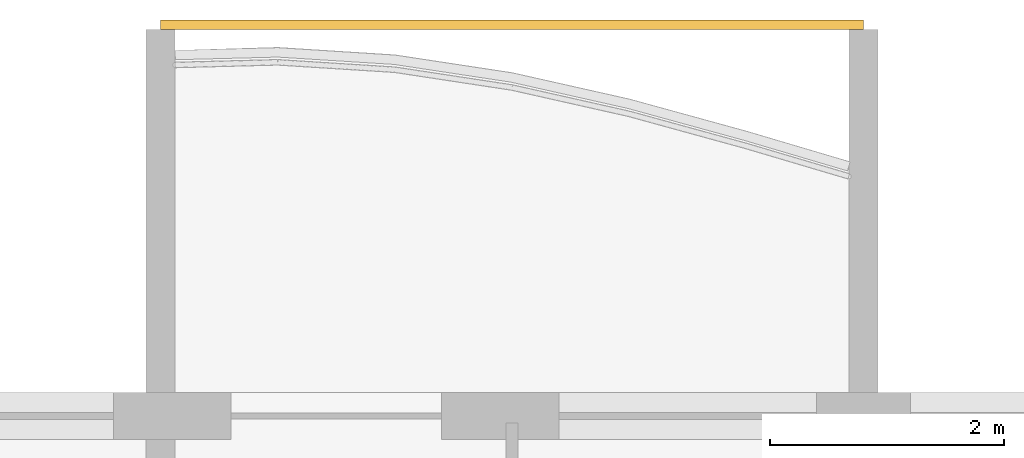
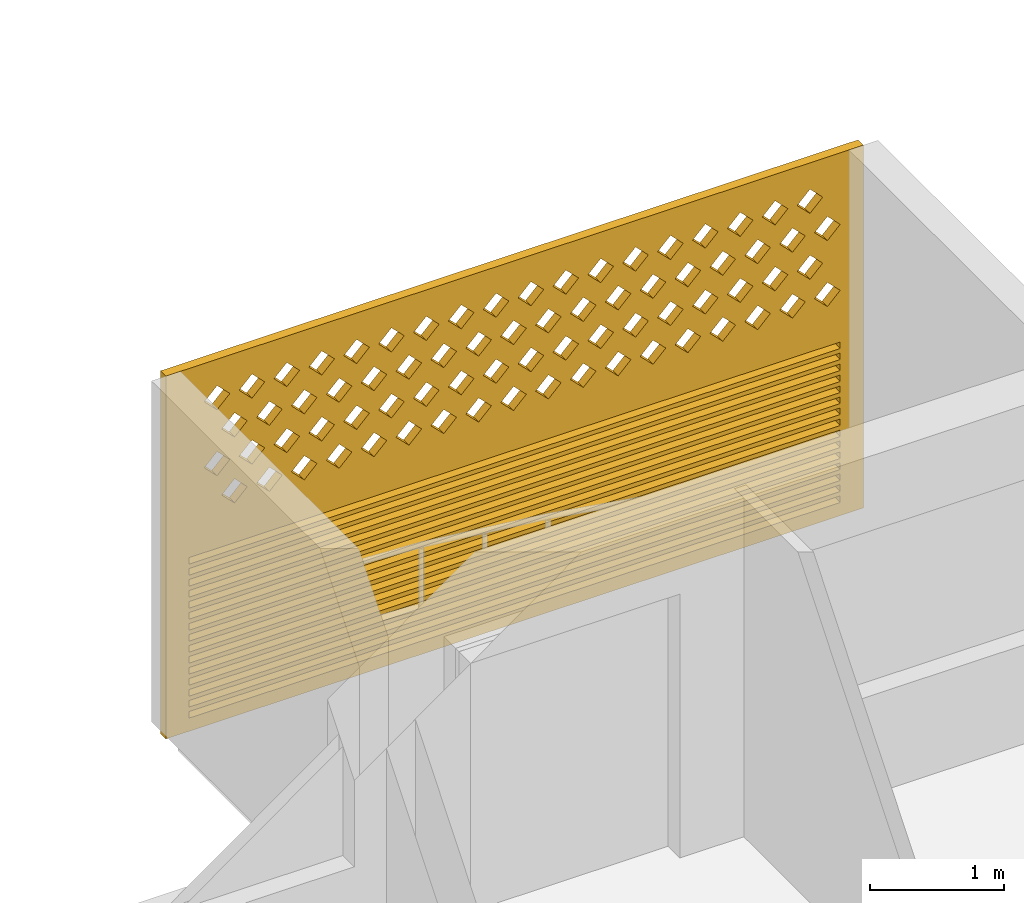
# One storey, part 18 of 26: 1 covering.
"""IFC4 building model written with IfcOpenShell, lengths in metres."""

from ifc_helpers import new_model, si_unit, direction, frame, origin, place, context, subcontext, project, spatial, polyline, outline, extrude, source, transform, mapped, material, material_profile, profile_set, type_object, element, save


model = new_model("IFC4")

# Units and contexts
model_context = context("Model", 3, precision=1e-05, world=origin(), true_north=direction((0.0, 1.0)))
body_context = subcontext(model_context, "Body", "Model", "MODEL_VIEW")
ifc_project = project(units=[si_unit("LENGTHUNIT", "METRE"), si_unit("AREAUNIT", "SQUARE_METRE"), si_unit("VOLUMEUNIT", "CUBIC_METRE"), si_unit("PLANEANGLEUNIT", "RADIAN"), si_unit("MASSUNIT", "GRAM", prefix="KILO")], contexts=[model_context])

# Site, building, storey
site_placement = place(None, origin())
site = spatial("IfcSite", under=ifc_project, at=site_placement, CompositionType="ELEMENT")
building_placement = place(site_placement, origin())
building = spatial("IfcBuilding", under=site, at=building_placement, Name="Poui Terraces", CompositionType="ELEMENT")
storey_placement = place(building_placement, frame((0.0, 0.0, 244.5)))
storey = spatial("IfcBuildingStorey", under=building, at=storey_placement, Name="L68", CompositionType="ELEMENT", Elevation=244.5)

# Covering
ifc_material = material(Name="Terracotta screen", Category="masonry")
ifc_material_profile = material_profile(ifc_material, outline(polyline([(-3.0, -1.64990234375), (3.0, -1.64990234375), (3.0, 1.64990234375), (-3.0, 1.64990234375), (-3.0, -1.64990234375)]), holes=[polyline([(-2.800048828125, 0.39990234375), (-2.68994140625, 0.2900390625), (-2.580078125, 0.39990234375), (-2.68994140625, 0.510009765625), (-2.800048828125, 0.39990234375)]), polyline([(-2.5, 0.39990234375), (-2.389892578125, 0.2900390625), (-2.280029296875, 0.39990234375), (-2.389892578125, 0.510009765625), (-2.5, 0.39990234375)]), polyline([(-2.199951171875, 0.39990234375), (-2.090087890625, 0.2900390625), (-1.97998046875, 0.39990234375), (-2.090087890625, 0.510009765625), (-2.199951171875, 0.39990234375)]), polyline([(-1.89990234375, 0.39990234375), (-1.7900390625, 0.2900390625), (-1.679931640625, 0.39990234375), (-1.7900390625, 0.510009765625), (-1.89990234375, 0.39990234375)]), polyline([(-1.60009765625, 0.39990234375), (-1.489990234375, 0.2900390625), (-1.3798828125, 0.39990234375), (-1.489990234375, 0.510009765625), (-1.60009765625, 0.39990234375)]), polyline([(-1.300048828125, 0.39990234375), (-1.18994140625, 0.2900390625), (-1.080078125, 0.39990234375), (-1.18994140625, 0.510009765625), (-1.300048828125, 0.39990234375)]), polyline([(-1.0, 0.39990234375), (-0.889892578125, 0.2900390625), (-0.780029296875, 0.39990234375), (-0.889892578125, 0.510009765625), (-1.0, 0.39990234375)]), polyline([(-0.699951171875, 0.39990234375), (-0.590087890625, 0.2900390625), (-0.47998046875, 0.39990234375), (-0.590087890625, 0.510009765625), (-0.699951171875, 0.39990234375)]), polyline([(-0.39990234375, 0.39990234375), (-0.2900390625, 0.2900390625), (-0.179931640625, 0.39990234375), (-0.2900390625, 0.510009765625), (-0.39990234375, 0.39990234375)]), polyline([(-0.10009765625, 0.39990234375), (0.010009765625, 0.2900390625), (0.1201171875, 0.39990234375), (0.010009765625, 0.510009765625), (-0.10009765625, 0.39990234375)]), polyline([(0.199951171875, 0.39990234375), (0.31005859375, 0.2900390625), (0.419921875, 0.39990234375), (0.31005859375, 0.510009765625), (0.199951171875, 0.39990234375)]), polyline([(0.5, 0.39990234375), (0.610107421875, 0.2900390625), (0.719970703125, 0.39990234375), (0.610107421875, 0.510009765625), (0.5, 0.39990234375)]), polyline([(0.800048828125, 0.39990234375), (0.909912109375, 0.2900390625), (1.02001953125, 0.39990234375), (0.909912109375, 0.510009765625), (0.800048828125, 0.39990234375)]), polyline([(1.10009765625, 0.39990234375), (1.2099609375, 0.2900390625), (1.320068359375, 0.39990234375), (1.2099609375, 0.510009765625), (1.10009765625, 0.39990234375)]), polyline([(1.39990234375, 0.39990234375), (1.510009765625, 0.2900390625), (1.6201171875, 0.39990234375), (1.510009765625, 0.510009765625), (1.39990234375, 0.39990234375)]), polyline([(1.699951171875, 0.39990234375), (1.81005859375, 0.2900390625), (1.919921875, 0.39990234375), (1.81005859375, 0.510009765625), (1.699951171875, 0.39990234375)]), polyline([(2.0, 0.39990234375), (2.110107421875, 0.2900390625), (2.219970703125, 0.39990234375), (2.110107421875, 0.510009765625), (2.0, 0.39990234375)]), polyline([(2.300048828125, 0.39990234375), (2.409912109375, 0.2900390625), (2.52001953125, 0.39990234375), (2.409912109375, 0.510009765625), (2.300048828125, 0.39990234375)]), polyline([(-2.64990234375, 0.699951171875), (-2.5400390625, 0.590087890625), (-2.429931640625, 0.699951171875), (-2.5400390625, 0.81005859375), (-2.64990234375, 0.699951171875)]), polyline([(-2.35009765625, 0.699951171875), (-2.239990234375, 0.590087890625), (-2.1298828125, 0.699951171875), (-2.239990234375, 0.81005859375), (-2.35009765625, 0.699951171875)]), polyline([(-2.050048828125, 0.699951171875), (-1.93994140625, 0.590087890625), (-1.830078125, 0.699951171875), (-1.93994140625, 0.81005859375), (-2.050048828125, 0.699951171875)]), polyline([(-1.75, 0.699951171875), (-1.639892578125, 0.590087890625), (-1.530029296875, 0.699951171875), (-1.639892578125, 0.81005859375), (-1.75, 0.699951171875)]), polyline([(-1.449951171875, 0.699951171875), (-1.340087890625, 0.590087890625), (-1.22998046875, 0.699951171875), (-1.340087890625, 0.81005859375), (-1.449951171875, 0.699951171875)]), polyline([(-1.14990234375, 0.699951171875), (-1.0400390625, 0.590087890625), (-0.929931640625, 0.699951171875), (-1.0400390625, 0.81005859375), (-1.14990234375, 0.699951171875)]), polyline([(-0.85009765625, 0.699951171875), (-0.739990234375, 0.590087890625), (-0.6298828125, 0.699951171875), (-0.739990234375, 0.81005859375), (-0.85009765625, 0.699951171875)]), polyline([(-0.550048828125, 0.699951171875), (-0.43994140625, 0.590087890625), (-0.330078125, 0.699951171875), (-0.43994140625, 0.81005859375), (-0.550048828125, 0.699951171875)]), polyline([(-0.25, 0.699951171875), (-0.139892578125, 0.590087890625), (-0.030029296875, 0.699951171875), (-0.139892578125, 0.81005859375), (-0.25, 0.699951171875)]), polyline([(0.050048828125, 0.699951171875), (0.159912109375, 0.590087890625), (0.27001953125, 0.699951171875), (0.159912109375, 0.81005859375), (0.050048828125, 0.699951171875)]), polyline([(0.35009765625, 0.699951171875), (0.4599609375, 0.590087890625), (0.570068359375, 0.699951171875), (0.4599609375, 0.81005859375), (0.35009765625, 0.699951171875)]), polyline([(0.64990234375, 0.699951171875), (0.760009765625, 0.590087890625), (0.8701171875, 0.699951171875), (0.760009765625, 0.81005859375), (0.64990234375, 0.699951171875)]), polyline([(0.949951171875, 0.699951171875), (1.06005859375, 0.590087890625), (1.169921875, 0.699951171875), (1.06005859375, 0.81005859375), (0.949951171875, 0.699951171875)]), polyline([(1.25, 0.699951171875), (1.360107421875, 0.590087890625), (1.469970703125, 0.699951171875), (1.360107421875, 0.81005859375), (1.25, 0.699951171875)]), polyline([(1.550048828125, 0.699951171875), (1.659912109375, 0.590087890625), (1.77001953125, 0.699951171875), (1.659912109375, 0.81005859375), (1.550048828125, 0.699951171875)]), polyline([(1.85009765625, 0.699951171875), (1.9599609375, 0.590087890625), (2.070068359375, 0.699951171875), (1.9599609375, 0.81005859375), (1.85009765625, 0.699951171875)]), polyline([(2.14990234375, 0.699951171875), (2.260009765625, 0.590087890625), (2.3701171875, 0.699951171875), (2.260009765625, 0.81005859375), (2.14990234375, 0.699951171875)]), polyline([(2.449951171875, 0.699951171875), (2.56005859375, 0.590087890625), (2.669921875, 0.699951171875), (2.56005859375, 0.81005859375), (2.449951171875, 0.699951171875)]), polyline([(-2.800048828125, 1.0), (-2.68994140625, 0.889892578125), (-2.580078125, 1.0), (-2.68994140625, 1.110107421875), (-2.800048828125, 1.0)]), polyline([(-2.5, 1.0), (-2.389892578125, 0.889892578125), (-2.280029296875, 1.0), (-2.389892578125, 1.110107421875), (-2.5, 1.0)]), polyline([(-2.199951171875, 1.0), (-2.090087890625, 0.889892578125), (-1.97998046875, 1.0), (-2.090087890625, 1.110107421875), (-2.199951171875, 1.0)]), polyline([(-1.89990234375, 1.0), (-1.7900390625, 0.889892578125), (-1.679931640625, 1.0), (-1.7900390625, 1.110107421875), (-1.89990234375, 1.0)]), polyline([(-1.60009765625, 1.0), (-1.489990234375, 0.889892578125), (-1.3798828125, 1.0), (-1.489990234375, 1.110107421875), (-1.60009765625, 1.0)]), polyline([(-1.300048828125, 1.0), (-1.18994140625, 0.889892578125), (-1.080078125, 1.0), (-1.18994140625, 1.110107421875), (-1.300048828125, 1.0)]), polyline([(-1.0, 1.0), (-0.889892578125, 0.889892578125), (-0.780029296875, 1.0), (-0.889892578125, 1.110107421875), (-1.0, 1.0)]), polyline([(-0.699951171875, 1.0), (-0.590087890625, 0.889892578125), (-0.47998046875, 1.0), (-0.590087890625, 1.110107421875), (-0.699951171875, 1.0)]), polyline([(-0.39990234375, 1.0), (-0.2900390625, 0.889892578125), (-0.179931640625, 1.0), (-0.2900390625, 1.110107421875), (-0.39990234375, 1.0)]), polyline([(-0.10009765625, 1.0), (0.010009765625, 0.889892578125), (0.1201171875, 1.0), (0.010009765625, 1.110107421875), (-0.10009765625, 1.0)]), polyline([(0.199951171875, 1.0), (0.31005859375, 0.889892578125), (0.419921875, 1.0), (0.31005859375, 1.110107421875), (0.199951171875, 1.0)]), polyline([(0.5, 1.0), (0.610107421875, 0.889892578125), (0.719970703125, 1.0), (0.610107421875, 1.110107421875), (0.5, 1.0)]), polyline([(0.800048828125, 1.0), (0.909912109375, 0.889892578125), (1.02001953125, 1.0), (0.909912109375, 1.110107421875), (0.800048828125, 1.0)]), polyline([(1.10009765625, 1.0), (1.2099609375, 0.889892578125), (1.320068359375, 1.0), (1.2099609375, 1.110107421875), (1.10009765625, 1.0)]), polyline([(1.39990234375, 1.0), (1.510009765625, 0.889892578125), (1.6201171875, 1.0), (1.510009765625, 1.110107421875), (1.39990234375, 1.0)]), polyline([(1.699951171875, 1.0), (1.81005859375, 0.889892578125), (1.919921875, 1.0), (1.81005859375, 1.110107421875), (1.699951171875, 1.0)]), polyline([(2.0, 1.0), (2.110107421875, 0.889892578125), (2.219970703125, 1.0), (2.110107421875, 1.110107421875), (2.0, 1.0)]), polyline([(2.300048828125, 1.0), (2.409912109375, 0.889892578125), (2.52001953125, 1.0), (2.409912109375, 1.110107421875), (2.300048828125, 1.0)]), polyline([(-2.64990234375, 1.300048828125), (-2.5400390625, 1.18994140625), (-2.429931640625, 1.300048828125), (-2.5400390625, 1.409912109375), (-2.64990234375, 1.300048828125)]), polyline([(-2.35009765625, 1.300048828125), (-2.239990234375, 1.18994140625), (-2.1298828125, 1.300048828125), (-2.239990234375, 1.409912109375), (-2.35009765625, 1.300048828125)]), polyline([(-2.050048828125, 1.300048828125), (-1.93994140625, 1.18994140625), (-1.830078125, 1.300048828125), (-1.93994140625, 1.409912109375), (-2.050048828125, 1.300048828125)]), polyline([(-1.75, 1.300048828125), (-1.639892578125, 1.18994140625), (-1.530029296875, 1.300048828125), (-1.639892578125, 1.409912109375), (-1.75, 1.300048828125)]), polyline([(-1.449951171875, 1.300048828125), (-1.340087890625, 1.18994140625), (-1.22998046875, 1.300048828125), (-1.340087890625, 1.409912109375), (-1.449951171875, 1.300048828125)]), polyline([(-1.14990234375, 1.300048828125), (-1.0400390625, 1.18994140625), (-0.929931640625, 1.300048828125), (-1.0400390625, 1.409912109375), (-1.14990234375, 1.300048828125)]), polyline([(-0.85009765625, 1.300048828125), (-0.739990234375, 1.18994140625), (-0.6298828125, 1.300048828125), (-0.739990234375, 1.409912109375), (-0.85009765625, 1.300048828125)]), polyline([(-0.550048828125, 1.300048828125), (-0.43994140625, 1.18994140625), (-0.330078125, 1.300048828125), (-0.43994140625, 1.409912109375), (-0.550048828125, 1.300048828125)]), polyline([(-0.25, 1.300048828125), (-0.139892578125, 1.18994140625), (-0.030029296875, 1.300048828125), (-0.139892578125, 1.409912109375), (-0.25, 1.300048828125)]), polyline([(0.050048828125, 1.300048828125), (0.159912109375, 1.18994140625), (0.27001953125, 1.300048828125), (0.159912109375, 1.409912109375), (0.050048828125, 1.300048828125)]), polyline([(0.35009765625, 1.300048828125), (0.4599609375, 1.18994140625), (0.570068359375, 1.300048828125), (0.4599609375, 1.409912109375), (0.35009765625, 1.300048828125)]), polyline([(0.64990234375, 1.300048828125), (0.760009765625, 1.18994140625), (0.8701171875, 1.300048828125), (0.760009765625, 1.409912109375), (0.64990234375, 1.300048828125)]), polyline([(0.949951171875, 1.300048828125), (1.06005859375, 1.18994140625), (1.169921875, 1.300048828125), (1.06005859375, 1.409912109375), (0.949951171875, 1.300048828125)]), polyline([(1.25, 1.300048828125), (1.360107421875, 1.18994140625), (1.469970703125, 1.300048828125), (1.360107421875, 1.409912109375), (1.25, 1.300048828125)]), polyline([(1.550048828125, 1.300048828125), (1.659912109375, 1.18994140625), (1.77001953125, 1.300048828125), (1.659912109375, 1.409912109375), (1.550048828125, 1.300048828125)]), polyline([(1.85009765625, 1.300048828125), (1.9599609375, 1.18994140625), (2.070068359375, 1.300048828125), (1.9599609375, 1.409912109375), (1.85009765625, 1.300048828125)]), polyline([(2.14990234375, 1.300048828125), (2.260009765625, 1.18994140625), (2.3701171875, 1.300048828125), (2.260009765625, 1.409912109375), (2.14990234375, 1.300048828125)]), polyline([(2.449951171875, 1.300048828125), (2.56005859375, 1.18994140625), (2.669921875, 1.300048828125), (2.56005859375, 1.409912109375), (2.449951171875, 1.300048828125)]), polyline([(-2.800048828125, -1.530029296875), (2.800048828125, -1.530029296875), (2.800048828125, -1.469970703125), (-2.800048828125, -1.469970703125), (-2.800048828125, -1.530029296875)]), polyline([(-2.800048828125, -1.429931640625), (2.800048828125, -1.429931640625), (2.800048828125, -1.3701171875), (-2.800048828125, -1.3701171875), (-2.800048828125, -1.429931640625)]), polyline([(-2.800048828125, -1.330078125), (2.800048828125, -1.330078125), (2.800048828125, -1.27001953125), (-2.800048828125, -1.27001953125), (-2.800048828125, -1.330078125)]), polyline([(-2.800048828125, -1.22998046875), (2.800048828125, -1.22998046875), (2.800048828125, -1.169921875), (-2.800048828125, -1.169921875), (-2.800048828125, -1.22998046875)]), polyline([(-2.800048828125, -1.1298828125), (2.800048828125, -1.1298828125), (2.800048828125, -1.070068359375), (-2.800048828125, -1.070068359375), (-2.800048828125, -1.1298828125)]), polyline([(-2.800048828125, -1.030029296875), (2.800048828125, -1.030029296875), (2.800048828125, -0.969970703125), (-2.800048828125, -0.969970703125), (-2.800048828125, -1.030029296875)]), polyline([(-2.800048828125, -0.929931640625), (2.800048828125, -0.929931640625), (2.800048828125, -0.8701171875), (-2.800048828125, -0.8701171875), (-2.800048828125, -0.929931640625)]), polyline([(-2.800048828125, -0.830078125), (2.800048828125, -0.830078125), (2.800048828125, -0.77001953125), (-2.800048828125, -0.77001953125), (-2.800048828125, -0.830078125)]), polyline([(-2.800048828125, -0.72998046875), (2.800048828125, -0.72998046875), (2.800048828125, -0.669921875), (-2.800048828125, -0.669921875), (-2.800048828125, -0.72998046875)]), polyline([(-2.800048828125, -0.6298828125), (2.800048828125, -0.6298828125), (2.800048828125, -0.570068359375), (-2.800048828125, -0.570068359375), (-2.800048828125, -0.6298828125)]), polyline([(-2.800048828125, -0.530029296875), (2.800048828125, -0.530029296875), (2.800048828125, -0.469970703125), (-2.800048828125, -0.469970703125), (-2.800048828125, -0.530029296875)]), polyline([(-2.800048828125, -0.429931640625), (2.800048828125, -0.429931640625), (2.800048828125, -0.3701171875), (-2.800048828125, -0.3701171875), (-2.800048828125, -0.429931640625)]), polyline([(-2.800048828125, -0.330078125), (2.800048828125, -0.330078125), (2.800048828125, -0.27001953125), (-2.800048828125, -0.27001953125), (-2.800048828125, -0.330078125)]), polyline([(-2.800048828125, -0.22998046875), (2.800048828125, -0.22998046875), (2.800048828125, -0.169921875), (-2.800048828125, -0.169921875), (-2.800048828125, -0.22998046875)]), polyline([(-2.800048828125, -0.1298828125), (2.800048828125, -0.1298828125), (2.800048828125, -0.070068359375), (-2.800048828125, -0.070068359375), (-2.800048828125, -0.1298828125)])]), Name="TERRACOTTA SCREEN AND JALOUSIE LOUVRE 6000X3300")
ifc_profile_set = profile_set([ifc_material_profile], Name="Terracotta screen")
covering_type = type_object("IfcCoveringType", Name="TERRACOTTA SCREEN AND JALOUSIE LOUVRE 6000X3300", PredefinedType="CLADDING", material=ifc_profile_set)
shared_shape = source(origin(), body_context, "Body", "SweptSolid", [
    extrude(outline(polyline([(-3.0, -1.64990234375), (3.0, -1.64990234375), (3.0, 1.64990234375), (-3.0, 1.64990234375), (-3.0, -1.64990234375)]), holes=[polyline([(-2.800048828125, 0.39990234375), (-2.68994140625, 0.2900390625), (-2.580078125, 0.39990234375), (-2.68994140625, 0.510009765625), (-2.800048828125, 0.39990234375)]), polyline([(-2.5, 0.39990234375), (-2.389892578125, 0.2900390625), (-2.280029296875, 0.39990234375), (-2.389892578125, 0.510009765625), (-2.5, 0.39990234375)]), polyline([(-2.199951171875, 0.39990234375), (-2.090087890625, 0.2900390625), (-1.97998046875, 0.39990234375), (-2.090087890625, 0.510009765625), (-2.199951171875, 0.39990234375)]), polyline([(-1.89990234375, 0.39990234375), (-1.7900390625, 0.2900390625), (-1.679931640625, 0.39990234375), (-1.7900390625, 0.510009765625), (-1.89990234375, 0.39990234375)]), polyline([(-1.60009765625, 0.39990234375), (-1.489990234375, 0.2900390625), (-1.3798828125, 0.39990234375), (-1.489990234375, 0.510009765625), (-1.60009765625, 0.39990234375)]), polyline([(-1.300048828125, 0.39990234375), (-1.18994140625, 0.2900390625), (-1.080078125, 0.39990234375), (-1.18994140625, 0.510009765625), (-1.300048828125, 0.39990234375)]), polyline([(-1.0, 0.39990234375), (-0.889892578125, 0.2900390625), (-0.780029296875, 0.39990234375), (-0.889892578125, 0.510009765625), (-1.0, 0.39990234375)]), polyline([(-0.699951171875, 0.39990234375), (-0.590087890625, 0.2900390625), (-0.47998046875, 0.39990234375), (-0.590087890625, 0.510009765625), (-0.699951171875, 0.39990234375)]), polyline([(-0.39990234375, 0.39990234375), (-0.2900390625, 0.2900390625), (-0.179931640625, 0.39990234375), (-0.2900390625, 0.510009765625), (-0.39990234375, 0.39990234375)]), polyline([(-0.10009765625, 0.39990234375), (0.010009765625, 0.2900390625), (0.1201171875, 0.39990234375), (0.010009765625, 0.510009765625), (-0.10009765625, 0.39990234375)]), polyline([(0.199951171875, 0.39990234375), (0.31005859375, 0.2900390625), (0.419921875, 0.39990234375), (0.31005859375, 0.510009765625), (0.199951171875, 0.39990234375)]), polyline([(0.5, 0.39990234375), (0.610107421875, 0.2900390625), (0.719970703125, 0.39990234375), (0.610107421875, 0.510009765625), (0.5, 0.39990234375)]), polyline([(0.800048828125, 0.39990234375), (0.909912109375, 0.2900390625), (1.02001953125, 0.39990234375), (0.909912109375, 0.510009765625), (0.800048828125, 0.39990234375)]), polyline([(1.10009765625, 0.39990234375), (1.2099609375, 0.2900390625), (1.320068359375, 0.39990234375), (1.2099609375, 0.510009765625), (1.10009765625, 0.39990234375)]), polyline([(1.39990234375, 0.39990234375), (1.510009765625, 0.2900390625), (1.6201171875, 0.39990234375), (1.510009765625, 0.510009765625), (1.39990234375, 0.39990234375)]), polyline([(1.699951171875, 0.39990234375), (1.81005859375, 0.2900390625), (1.919921875, 0.39990234375), (1.81005859375, 0.510009765625), (1.699951171875, 0.39990234375)]), polyline([(2.0, 0.39990234375), (2.110107421875, 0.2900390625), (2.219970703125, 0.39990234375), (2.110107421875, 0.510009765625), (2.0, 0.39990234375)]), polyline([(2.300048828125, 0.39990234375), (2.409912109375, 0.2900390625), (2.52001953125, 0.39990234375), (2.409912109375, 0.510009765625), (2.300048828125, 0.39990234375)]), polyline([(-2.64990234375, 0.699951171875), (-2.5400390625, 0.590087890625), (-2.429931640625, 0.699951171875), (-2.5400390625, 0.81005859375), (-2.64990234375, 0.699951171875)]), polyline([(-2.35009765625, 0.699951171875), (-2.239990234375, 0.590087890625), (-2.1298828125, 0.699951171875), (-2.239990234375, 0.81005859375), (-2.35009765625, 0.699951171875)]), polyline([(-2.050048828125, 0.699951171875), (-1.93994140625, 0.590087890625), (-1.830078125, 0.699951171875), (-1.93994140625, 0.81005859375), (-2.050048828125, 0.699951171875)]), polyline([(-1.75, 0.699951171875), (-1.639892578125, 0.590087890625), (-1.530029296875, 0.699951171875), (-1.639892578125, 0.81005859375), (-1.75, 0.699951171875)]), polyline([(-1.449951171875, 0.699951171875), (-1.340087890625, 0.590087890625), (-1.22998046875, 0.699951171875), (-1.340087890625, 0.81005859375), (-1.449951171875, 0.699951171875)]), polyline([(-1.14990234375, 0.699951171875), (-1.0400390625, 0.590087890625), (-0.929931640625, 0.699951171875), (-1.0400390625, 0.81005859375), (-1.14990234375, 0.699951171875)]), polyline([(-0.85009765625, 0.699951171875), (-0.739990234375, 0.590087890625), (-0.6298828125, 0.699951171875), (-0.739990234375, 0.81005859375), (-0.85009765625, 0.699951171875)]), polyline([(-0.550048828125, 0.699951171875), (-0.43994140625, 0.590087890625), (-0.330078125, 0.699951171875), (-0.43994140625, 0.81005859375), (-0.550048828125, 0.699951171875)]), polyline([(-0.25, 0.699951171875), (-0.139892578125, 0.590087890625), (-0.030029296875, 0.699951171875), (-0.139892578125, 0.81005859375), (-0.25, 0.699951171875)]), polyline([(0.050048828125, 0.699951171875), (0.159912109375, 0.590087890625), (0.27001953125, 0.699951171875), (0.159912109375, 0.81005859375), (0.050048828125, 0.699951171875)]), polyline([(0.35009765625, 0.699951171875), (0.4599609375, 0.590087890625), (0.570068359375, 0.699951171875), (0.4599609375, 0.81005859375), (0.35009765625, 0.699951171875)]), polyline([(0.64990234375, 0.699951171875), (0.760009765625, 0.590087890625), (0.8701171875, 0.699951171875), (0.760009765625, 0.81005859375), (0.64990234375, 0.699951171875)]), polyline([(0.949951171875, 0.699951171875), (1.06005859375, 0.590087890625), (1.169921875, 0.699951171875), (1.06005859375, 0.81005859375), (0.949951171875, 0.699951171875)]), polyline([(1.25, 0.699951171875), (1.360107421875, 0.590087890625), (1.469970703125, 0.699951171875), (1.360107421875, 0.81005859375), (1.25, 0.699951171875)]), polyline([(1.550048828125, 0.699951171875), (1.659912109375, 0.590087890625), (1.77001953125, 0.699951171875), (1.659912109375, 0.81005859375), (1.550048828125, 0.699951171875)]), polyline([(1.85009765625, 0.699951171875), (1.9599609375, 0.590087890625), (2.070068359375, 0.699951171875), (1.9599609375, 0.81005859375), (1.85009765625, 0.699951171875)]), polyline([(2.14990234375, 0.699951171875), (2.260009765625, 0.590087890625), (2.3701171875, 0.699951171875), (2.260009765625, 0.81005859375), (2.14990234375, 0.699951171875)]), polyline([(2.449951171875, 0.699951171875), (2.56005859375, 0.590087890625), (2.669921875, 0.699951171875), (2.56005859375, 0.81005859375), (2.449951171875, 0.699951171875)]), polyline([(-2.800048828125, 1.0), (-2.68994140625, 0.889892578125), (-2.580078125, 1.0), (-2.68994140625, 1.110107421875), (-2.800048828125, 1.0)]), polyline([(-2.5, 1.0), (-2.389892578125, 0.889892578125), (-2.280029296875, 1.0), (-2.389892578125, 1.110107421875), (-2.5, 1.0)]), polyline([(-2.199951171875, 1.0), (-2.090087890625, 0.889892578125), (-1.97998046875, 1.0), (-2.090087890625, 1.110107421875), (-2.199951171875, 1.0)]), polyline([(-1.89990234375, 1.0), (-1.7900390625, 0.889892578125), (-1.679931640625, 1.0), (-1.7900390625, 1.110107421875), (-1.89990234375, 1.0)]), polyline([(-1.60009765625, 1.0), (-1.489990234375, 0.889892578125), (-1.3798828125, 1.0), (-1.489990234375, 1.110107421875), (-1.60009765625, 1.0)]), polyline([(-1.300048828125, 1.0), (-1.18994140625, 0.889892578125), (-1.080078125, 1.0), (-1.18994140625, 1.110107421875), (-1.300048828125, 1.0)]), polyline([(-1.0, 1.0), (-0.889892578125, 0.889892578125), (-0.780029296875, 1.0), (-0.889892578125, 1.110107421875), (-1.0, 1.0)]), polyline([(-0.699951171875, 1.0), (-0.590087890625, 0.889892578125), (-0.47998046875, 1.0), (-0.590087890625, 1.110107421875), (-0.699951171875, 1.0)]), polyline([(-0.39990234375, 1.0), (-0.2900390625, 0.889892578125), (-0.179931640625, 1.0), (-0.2900390625, 1.110107421875), (-0.39990234375, 1.0)]), polyline([(-0.10009765625, 1.0), (0.010009765625, 0.889892578125), (0.1201171875, 1.0), (0.010009765625, 1.110107421875), (-0.10009765625, 1.0)]), polyline([(0.199951171875, 1.0), (0.31005859375, 0.889892578125), (0.419921875, 1.0), (0.31005859375, 1.110107421875), (0.199951171875, 1.0)]), polyline([(0.5, 1.0), (0.610107421875, 0.889892578125), (0.719970703125, 1.0), (0.610107421875, 1.110107421875), (0.5, 1.0)]), polyline([(0.800048828125, 1.0), (0.909912109375, 0.889892578125), (1.02001953125, 1.0), (0.909912109375, 1.110107421875), (0.800048828125, 1.0)]), polyline([(1.10009765625, 1.0), (1.2099609375, 0.889892578125), (1.320068359375, 1.0), (1.2099609375, 1.110107421875), (1.10009765625, 1.0)]), polyline([(1.39990234375, 1.0), (1.510009765625, 0.889892578125), (1.6201171875, 1.0), (1.510009765625, 1.110107421875), (1.39990234375, 1.0)]), polyline([(1.699951171875, 1.0), (1.81005859375, 0.889892578125), (1.919921875, 1.0), (1.81005859375, 1.110107421875), (1.699951171875, 1.0)]), polyline([(2.0, 1.0), (2.110107421875, 0.889892578125), (2.219970703125, 1.0), (2.110107421875, 1.110107421875), (2.0, 1.0)]), polyline([(2.300048828125, 1.0), (2.409912109375, 0.889892578125), (2.52001953125, 1.0), (2.409912109375, 1.110107421875), (2.300048828125, 1.0)]), polyline([(-2.64990234375, 1.300048828125), (-2.5400390625, 1.18994140625), (-2.429931640625, 1.300048828125), (-2.5400390625, 1.409912109375), (-2.64990234375, 1.300048828125)]), polyline([(-2.35009765625, 1.300048828125), (-2.239990234375, 1.18994140625), (-2.1298828125, 1.300048828125), (-2.239990234375, 1.409912109375), (-2.35009765625, 1.300048828125)]), polyline([(-2.050048828125, 1.300048828125), (-1.93994140625, 1.18994140625), (-1.830078125, 1.300048828125), (-1.93994140625, 1.409912109375), (-2.050048828125, 1.300048828125)]), polyline([(-1.75, 1.300048828125), (-1.639892578125, 1.18994140625), (-1.530029296875, 1.300048828125), (-1.639892578125, 1.409912109375), (-1.75, 1.300048828125)]), polyline([(-1.449951171875, 1.300048828125), (-1.340087890625, 1.18994140625), (-1.22998046875, 1.300048828125), (-1.340087890625, 1.409912109375), (-1.449951171875, 1.300048828125)]), polyline([(-1.14990234375, 1.300048828125), (-1.0400390625, 1.18994140625), (-0.929931640625, 1.300048828125), (-1.0400390625, 1.409912109375), (-1.14990234375, 1.300048828125)]), polyline([(-0.85009765625, 1.300048828125), (-0.739990234375, 1.18994140625), (-0.6298828125, 1.300048828125), (-0.739990234375, 1.409912109375), (-0.85009765625, 1.300048828125)]), polyline([(-0.550048828125, 1.300048828125), (-0.43994140625, 1.18994140625), (-0.330078125, 1.300048828125), (-0.43994140625, 1.409912109375), (-0.550048828125, 1.300048828125)]), polyline([(-0.25, 1.300048828125), (-0.139892578125, 1.18994140625), (-0.030029296875, 1.300048828125), (-0.139892578125, 1.409912109375), (-0.25, 1.300048828125)]), polyline([(0.050048828125, 1.300048828125), (0.159912109375, 1.18994140625), (0.27001953125, 1.300048828125), (0.159912109375, 1.409912109375), (0.050048828125, 1.300048828125)]), polyline([(0.35009765625, 1.300048828125), (0.4599609375, 1.18994140625), (0.570068359375, 1.300048828125), (0.4599609375, 1.409912109375), (0.35009765625, 1.300048828125)]), polyline([(0.64990234375, 1.300048828125), (0.760009765625, 1.18994140625), (0.8701171875, 1.300048828125), (0.760009765625, 1.409912109375), (0.64990234375, 1.300048828125)]), polyline([(0.949951171875, 1.300048828125), (1.06005859375, 1.18994140625), (1.169921875, 1.300048828125), (1.06005859375, 1.409912109375), (0.949951171875, 1.300048828125)]), polyline([(1.25, 1.300048828125), (1.360107421875, 1.18994140625), (1.469970703125, 1.300048828125), (1.360107421875, 1.409912109375), (1.25, 1.300048828125)]), polyline([(1.550048828125, 1.300048828125), (1.659912109375, 1.18994140625), (1.77001953125, 1.300048828125), (1.659912109375, 1.409912109375), (1.550048828125, 1.300048828125)]), polyline([(1.85009765625, 1.300048828125), (1.9599609375, 1.18994140625), (2.070068359375, 1.300048828125), (1.9599609375, 1.409912109375), (1.85009765625, 1.300048828125)]), polyline([(2.14990234375, 1.300048828125), (2.260009765625, 1.18994140625), (2.3701171875, 1.300048828125), (2.260009765625, 1.409912109375), (2.14990234375, 1.300048828125)]), polyline([(2.449951171875, 1.300048828125), (2.56005859375, 1.18994140625), (2.669921875, 1.300048828125), (2.56005859375, 1.409912109375), (2.449951171875, 1.300048828125)]), polyline([(-2.800048828125, -1.530029296875), (2.800048828125, -1.530029296875), (2.800048828125, -1.469970703125), (-2.800048828125, -1.469970703125), (-2.800048828125, -1.530029296875)]), polyline([(-2.800048828125, -1.429931640625), (2.800048828125, -1.429931640625), (2.800048828125, -1.3701171875), (-2.800048828125, -1.3701171875), (-2.800048828125, -1.429931640625)]), polyline([(-2.800048828125, -1.330078125), (2.800048828125, -1.330078125), (2.800048828125, -1.27001953125), (-2.800048828125, -1.27001953125), (-2.800048828125, -1.330078125)]), polyline([(-2.800048828125, -1.22998046875), (2.800048828125, -1.22998046875), (2.800048828125, -1.169921875), (-2.800048828125, -1.169921875), (-2.800048828125, -1.22998046875)]), polyline([(-2.800048828125, -1.1298828125), (2.800048828125, -1.1298828125), (2.800048828125, -1.070068359375), (-2.800048828125, -1.070068359375), (-2.800048828125, -1.1298828125)]), polyline([(-2.800048828125, -1.030029296875), (2.800048828125, -1.030029296875), (2.800048828125, -0.969970703125), (-2.800048828125, -0.969970703125), (-2.800048828125, -1.030029296875)]), polyline([(-2.800048828125, -0.929931640625), (2.800048828125, -0.929931640625), (2.800048828125, -0.8701171875), (-2.800048828125, -0.8701171875), (-2.800048828125, -0.929931640625)]), polyline([(-2.800048828125, -0.830078125), (2.800048828125, -0.830078125), (2.800048828125, -0.77001953125), (-2.800048828125, -0.77001953125), (-2.800048828125, -0.830078125)]), polyline([(-2.800048828125, -0.72998046875), (2.800048828125, -0.72998046875), (2.800048828125, -0.669921875), (-2.800048828125, -0.669921875), (-2.800048828125, -0.72998046875)]), polyline([(-2.800048828125, -0.6298828125), (2.800048828125, -0.6298828125), (2.800048828125, -0.570068359375), (-2.800048828125, -0.570068359375), (-2.800048828125, -0.6298828125)]), polyline([(-2.800048828125, -0.530029296875), (2.800048828125, -0.530029296875), (2.800048828125, -0.469970703125), (-2.800048828125, -0.469970703125), (-2.800048828125, -0.530029296875)]), polyline([(-2.800048828125, -0.429931640625), (2.800048828125, -0.429931640625), (2.800048828125, -0.3701171875), (-2.800048828125, -0.3701171875), (-2.800048828125, -0.429931640625)]), polyline([(-2.800048828125, -0.330078125), (2.800048828125, -0.330078125), (2.800048828125, -0.27001953125), (-2.800048828125, -0.27001953125), (-2.800048828125, -0.330078125)]), polyline([(-2.800048828125, -0.22998046875), (2.800048828125, -0.22998046875), (2.800048828125, -0.169921875), (-2.800048828125, -0.169921875), (-2.800048828125, -0.22998046875)]), polyline([(-2.800048828125, -0.1298828125), (2.800048828125, -0.1298828125), (2.800048828125, -0.070068359375), (-2.800048828125, -0.070068359375), (-2.800048828125, -0.1298828125)])]), origin(), (0.0, 0.0, 1.0), 0.080078125),
])
covering_placement = place(storey_placement, frame((39.0, 44.5, 1.449951171875), z_axis=(0.0, 1.0, 0.0), x_axis=(-1.0, 0.0, 0.0)))
element("IfcCovering", 1, at=covering_placement, inside=storey, type_object=covering_type, Name="SOLAR SCREEN AND JALOUSIE LOUVRE", PredefinedType="CLADDING", context=body_context, shape_type="MappedRepresentation", body=[
    mapped(shared_shape, transform((0.0, 0.0, 0.0))),
])

save(model, "model.ifc")
